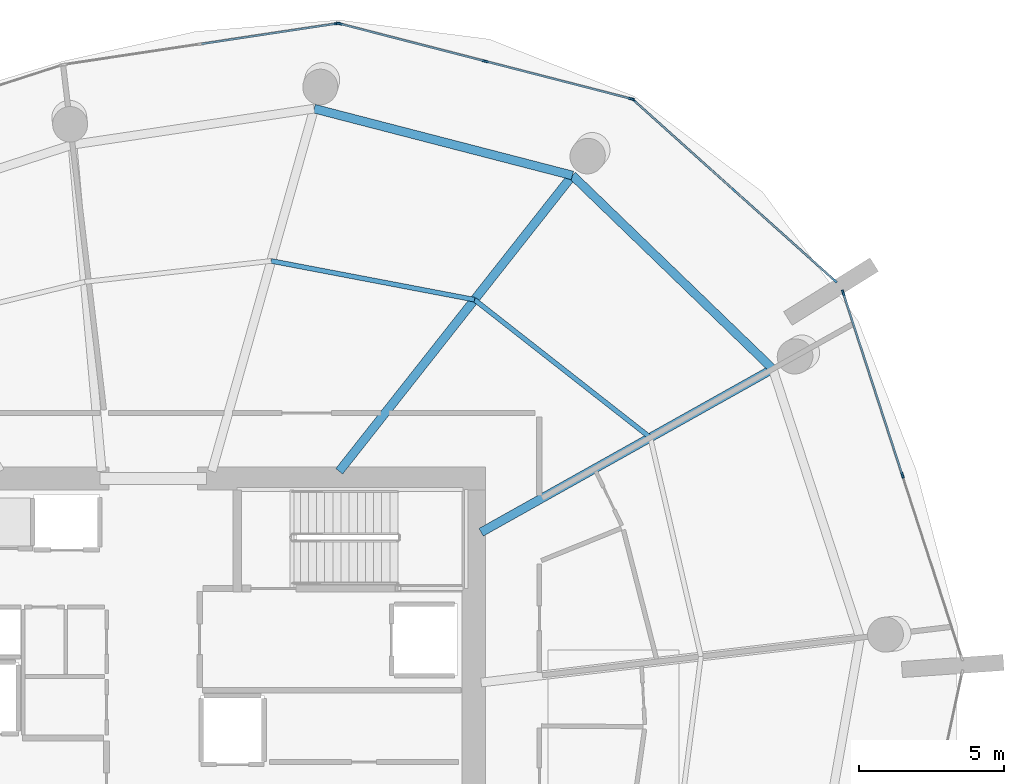
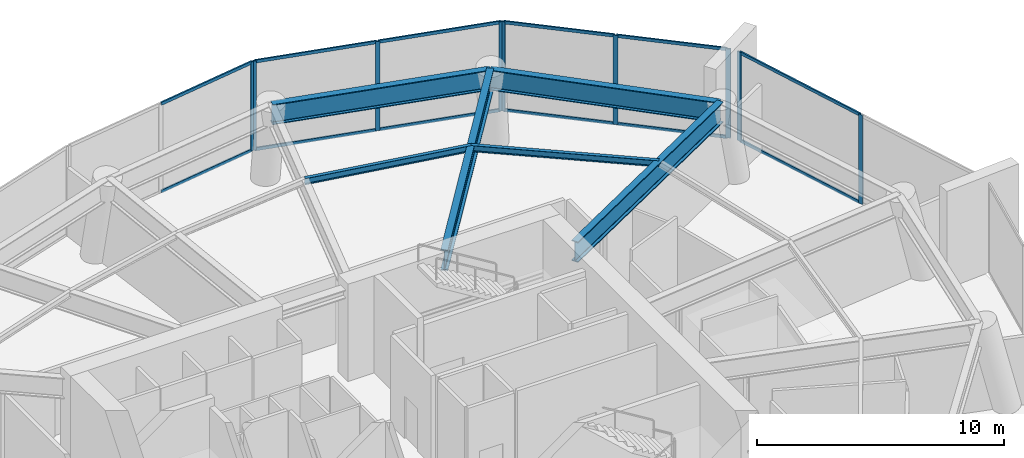
# One storey, part 9 of 16: 21 members, 6 beams, 4 elements without a shape of their own.
"""IFC4 building model written with IfcOpenShell, lengths in metres."""

from ifc_helpers import new_model, si_unit, direction, frame, origin, origin_2d, place, context, subcontext, project, spatial, rectangle, i_section, extrude, material, layer, layer_set, material_profile, profile_set, type_object, element, aggregate, save


model = new_model("IFC4")

# Units and contexts
model_context = context("Model", 3, precision=1e-05, world=origin(), true_north=direction((0.0, 1.0)))
body_context = subcontext(model_context, "Body", "Model", "MODEL_VIEW")
ifc_project = project(units=[si_unit("LENGTHUNIT", "METRE"), si_unit("AREAUNIT", "SQUARE_METRE"), si_unit("VOLUMEUNIT", "CUBIC_METRE"), si_unit("PLANEANGLEUNIT", "RADIAN"), si_unit("MASSUNIT", "GRAM", prefix="KILO")], contexts=[model_context])

# Site, building, storey
site_placement = place(None, origin())
site = spatial("IfcSite", under=ifc_project, at=site_placement, CompositionType="ELEMENT")
building_placement = place(site_placement, origin())
building = spatial("IfcBuilding", under=site, at=building_placement, Name="Kazma Halo Residences", CompositionType="ELEMENT")
storey_placement = place(building_placement, frame((0.0, 0.0, 123.0)))
storey = spatial("IfcBuildingStorey", under=building, at=storey_placement, Name="L30", CompositionType="ELEMENT", Elevation=123.0)

# Beams
ifc_material_1 = material(Name="Steel S355", Category="steel")
ifc_material_profile_1 = material_profile(ifc_material_1, i_section(OverallWidth=0.1650390625, OverallDepth=0.31005859375, WebThickness=0.005859375, FlangeThickness=0.009765625, FilletRadius=0.011962890625, at=origin_2d()), Name="W310x38.7")
ifc_profile_set_1 = profile_set([ifc_material_profile_1], Name="Steel S355")
beam_type_1 = type_object("IfcBeamType", Name="BM-SEC-W310B", PredefinedType="JOIST", material=ifc_profile_set_1)
beam_1_placement = place(storey_placement, frame((65.517578125, 51.810302734375, 4.2451171875), z_axis=(-0.786978354244, 0.616980607435, 0.0), x_axis=(-0.616980607435, -0.786978354244, 0.0)))
element("IfcBeam", 1, at=beam_1_placement, inside=storey, type_object=beam_type_1, Name="L30 circumferential floor joist 01", PredefinedType="JOIST", context=body_context, shape_type="SweptSolid", body=[
    extrude(i_section(OverallWidth=0.1650390625, OverallDepth=0.31005859375, WebThickness=0.005859375, FlangeThickness=0.009765625, FilletRadius=0.011962890625, at=origin_2d()), origin(), (0.0, 0.0, 1.0), 7.683349609375),
])
beam_2_placement = place(storey_placement, frame((59.470947265625, 56.55078125, 4.2451171875), z_axis=(-0.982303720869, 0.187294954461, 0.0), x_axis=(-0.187294954461, -0.982303720869, 0.0)))
element("IfcBeam", 2, at=beam_2_placement, inside=storey, type_object=beam_type_1, Name="L30 circumferential floor joist 02", PredefinedType="JOIST", context=body_context, shape_type="SweptSolid", body=[
    extrude(i_section(OverallWidth=0.1650390625, OverallDepth=0.31005859375, WebThickness=0.005859375, FlangeThickness=0.009765625, FilletRadius=0.011962890625, at=origin_2d()), origin(), (0.0, 0.0, 1.0), 7.1171875),
])
ifc_material_profile_2 = material_profile(ifc_material_1, i_section(OverallWidth=0.302001953125, OverallDepth=1.01806640625, WebThickness=0.021484375, FlangeThickness=0.049072265625, FilletRadius=0.028076171875, at=origin_2d()), Name="W1000x443")
ifc_profile_set_2 = profile_set([ifc_material_profile_2], Name="Steel S355")
beam_type_2 = type_object("IfcBeamType", Name="BM-TRANS-W1000A", PredefinedType="BEAM", material=ifc_profile_set_2)
beam_3_placement = place(storey_placement, frame((59.699951171875, 48.55224609375, 3.89111328125), z_axis=(0.872497324456, 0.488618889132, 0.0), x_axis=(-0.488618889132, 0.872497324456, 0.0)))
element("IfcBeam", 3, at=beam_3_placement, inside=storey, type_object=beam_type_2, Name="L30 podium radial transfer girder 01", PredefinedType="BEAM", context=body_context, shape_type="SweptSolid", body=[
    extrude(i_section(OverallWidth=0.302001953125, OverallDepth=1.01806640625, WebThickness=0.021484375, FlangeThickness=0.049072265625, FilletRadius=0.028076171875, at=origin_2d()), origin(), (0.0, 0.0, 1.0), 11.49609375),
])
beam_4_placement = place(storey_placement, frame((54.819091796875, 50.64990234375, 3.89111328125), z_axis=(0.619099110691, 0.785312861948, 0.0), x_axis=(-0.785312861948, 0.619099110691, 0.0)))
element("IfcBeam", 4, at=beam_4_placement, inside=storey, type_object=beam_type_2, Name="L30 podium radial transfer girder 02", PredefinedType="BEAM", context=body_context, shape_type="SweptSolid", body=[
    extrude(i_section(OverallWidth=0.302001953125, OverallDepth=1.01806640625, WebThickness=0.021484375, FlangeThickness=0.049072265625, FilletRadius=0.028076171875, at=origin_2d()), origin(), (0.0, 0.0, 1.0), 12.955078125),
])
ifc_material_profile_3 = material_profile(ifc_material_1, i_section(OverallWidth=0.300048828125, OverallDepth=1.0, WebThickness=0.01904296875, FlangeThickness=0.0400390625, FilletRadius=0.02587890625, at=origin_2d()), Name="W1000x371")
ifc_profile_set_3 = profile_set([ifc_material_profile_3], Name="Steel S355")
beam_type_3 = type_object("IfcBeamType", Name="BM-TRANS-W1000B", PredefinedType="BEAM", material=ifc_profile_set_3)
beam_5_placement = place(storey_placement, frame((69.730224609375, 54.16943359375, 3.89990234375), z_axis=(-0.719334705845, 0.694663645923, 0.0), x_axis=(-0.694663645923, -0.719334705845, 0.0)))
element("IfcBeam", 5, at=beam_5_placement, inside=storey, type_object=beam_type_3, Name="L30 perimeter ring beam 01", PredefinedType="BEAM", context=body_context, shape_type="SweptSolid", body=[
    extrude(i_section(OverallWidth=0.300048828125, OverallDepth=1.0, WebThickness=0.01904296875, FlangeThickness=0.0400390625, FilletRadius=0.02587890625, at=origin_2d()), origin(), (0.0, 0.0, 1.0), 9.5791015625),
])
beam_6_placement = place(storey_placement, frame((62.839599609375, 60.82373046875, 3.89990234375), z_axis=(-0.968123664213, 0.250472694699, 0.0), x_axis=(-0.250472694699, -0.968123664213, 0.0)))
element("IfcBeam", 6, at=beam_6_placement, inside=storey, type_object=beam_type_3, Name="L30 perimeter ring beam 02", PredefinedType="BEAM", context=body_context, shape_type="SweptSolid", body=[
    extrude(i_section(OverallWidth=0.300048828125, OverallDepth=1.0, WebThickness=0.01904296875, FlangeThickness=0.0400390625, FilletRadius=0.02587890625, at=origin_2d()), origin(), (0.0, 0.0, 1.0), 9.175048828125),
])

# Curtain wall, members
ifc_material_2 = material(Name="Aluminium AW-6063 T6 and Triple-Silver Low-E Glass", Category="aluminium")
ifc_layer = layer(ifc_material_2, 0.199951171875)
ifc_layer_set = layer_set([ifc_layer], Name="Aluminium AW-6063 T6 and Triple-Silver Low-E Glass")
curtain_wall_type = type_object("IfcCurtainWallType", Name="CW-SYS-3", PredefinedType="NOTDEFINED", material=ifc_layer_set)
curtain_wall_1_placement = place(storey_placement, origin())
curtain_wall_1 = element("IfcCurtainWall", 7, at=curtain_wall_1_placement, inside=storey, type_object=curtain_wall_type, Name="L30 unitised curtain wall B01", PredefinedType="NOTDEFINED")
ifc_material_3 = material(Name="Aluminium AW-6063 T6", Category="aluminium")
ifc_material_profile_4 = material_profile(ifc_material_3, rectangle(XDim=0.070068359375, YDim=0.199951171875, at=origin_2d()), Name="CWM-70x200")
ifc_profile_set_4 = profile_set([ifc_material_profile_4], Name="Aluminium AW-6063 T6")
member_type_1 = type_object("IfcMemberType", Name="CW-SYS-3-MUL", PredefinedType="MULLION", material=ifc_profile_set_4)
member_1_placement = place(storey_placement, frame((71.8583984375, 57.210205078125, 0.0), z_axis=(0.0, 0.0, 1.0), x_axis=(-0.667781551283, -0.744357306517, 0.0)))
member_1 = element("IfcMember", 8, at=member_1_placement, type_object=member_type_1, Name="CWS-3 mullion 1", PredefinedType="MULLION", context=body_context, shape_type="SweptSolid", body=[
    extrude(rectangle(XDim=0.070068359375, YDim=0.199951171875, at=origin_2d()), origin(), (0.0, 0.0, 1.0), 4.39990234375),
])
member_2_placement = place(storey_placement, frame((68.395751953125, 60.316650390625, 0.0), z_axis=(0.0, 0.0, 1.0), x_axis=(-0.667781551283, -0.744357306517, 0.0)))
member_2 = element("IfcMember", 9, at=member_2_placement, type_object=member_type_1, Name="CWS-3 mullion 2", PredefinedType="MULLION", context=body_context, shape_type="SweptSolid", body=[
    extrude(rectangle(XDim=0.070068359375, YDim=0.199951171875, at=origin_2d()), origin(), (0.0, 0.0, 1.0), 4.39990234375),
])
member_3_placement = place(storey_placement, frame((64.93310546875, 63.423095703125, 0.0), z_axis=(0.0, 0.0, 1.0), x_axis=(-0.667781551283, -0.744357306517, 0.0)))
member_3 = element("IfcMember", 10, at=member_3_placement, type_object=member_type_1, Name="CWS-3 mullion 3", PredefinedType="MULLION", context=body_context, shape_type="SweptSolid", body=[
    extrude(rectangle(XDim=0.070068359375, YDim=0.199951171875, at=origin_2d()), origin(), (0.0, 0.0, 1.0), 4.39990234375),
])

curtain_wall_2_placement = place(storey_placement, origin())
curtain_wall_2 = element("IfcCurtainWall", 11, at=curtain_wall_2_placement, inside=storey, type_object=curtain_wall_type, Name="L30 unitised curtain wall B02", PredefinedType="NOTDEFINED")
member_4_placement = place(storey_placement, frame((64.873046875, 63.455078125, 0.0), z_axis=(0.0, 0.0, 1.0), x_axis=(-0.249525032584, -0.968368348364, 0.0)))
member_4 = element("IfcMember", 12, at=member_4_placement, type_object=member_type_1, Name="CWS-3 mullion 1", PredefinedType="MULLION", context=body_context, shape_type="SweptSolid", body=[
    extrude(rectangle(XDim=0.070068359375, YDim=0.199951171875, at=origin_2d()), origin(), (0.0, 0.0, 1.0), 4.39990234375),
])
member_5_placement = place(storey_placement, frame((59.845703125, 64.75048828125, 0.0), z_axis=(0.0, 0.0, 1.0), x_axis=(-0.249525032584, -0.968368348364, 0.0)))
member_5 = element("IfcMember", 13, at=member_5_placement, type_object=member_type_1, Name="CWS-3 mullion 2", PredefinedType="MULLION", context=body_context, shape_type="SweptSolid", body=[
    extrude(rectangle(XDim=0.070068359375, YDim=0.199951171875, at=origin_2d()), origin(), (0.0, 0.0, 1.0), 4.39990234375),
])
member_6_placement = place(storey_placement, frame((54.818115234375, 66.046142578125, 0.0), z_axis=(0.0, 0.0, 1.0), x_axis=(-0.249525032584, -0.968368348364, 0.0)))
member_6 = element("IfcMember", 14, at=member_6_placement, type_object=member_type_1, Name="CWS-3 mullion 3", PredefinedType="MULLION", context=body_context, shape_type="SweptSolid", body=[
    extrude(rectangle(XDim=0.070068359375, YDim=0.199951171875, at=origin_2d()), origin(), (0.0, 0.0, 1.0), 4.39990234375),
])

# Curtain wall, member
curtain_wall_3_placement = place(storey_placement, origin())
curtain_wall_3 = element("IfcCurtainWall", 15, at=curtain_wall_3_placement, inside=storey, type_object=curtain_wall_type, Name="L30 unitised curtain wall B03", PredefinedType="NOTDEFINED")
member_7_placement = place(storey_placement, frame((54.74951171875, 66.049560546875, 0.0), z_axis=(0.0, 0.0, 1.0), x_axis=(0.148767641273, -0.988872180269, 0.0)))
member_7 = element("IfcMember", 16, at=member_7_placement, type_object=member_type_1, Name="CWS-3 mullion 1", PredefinedType="MULLION", context=body_context, shape_type="SweptSolid", body=[
    extrude(rectangle(XDim=0.070068359375, YDim=0.199951171875, at=origin_2d()), origin(), (0.0, 0.0, 1.0), 4.39990234375),
])

# Curtain wall, members
curtain_wall_4_placement = place(storey_placement, origin())
curtain_wall_4 = element("IfcCurtainWall", 17, at=curtain_wall_4_placement, inside=storey, type_object=curtain_wall_type, Name="L30 unitised curtain wall B16", PredefinedType="NOTDEFINED")
member_8_placement = place(storey_placement, frame((74.191162109375, 50.510009765625, 0.0), z_axis=(0.0, 0.0, 1.0), x_axis=(-0.951056155872, -0.309018103641, 0.0)))
member_8 = element("IfcMember", 18, at=member_8_placement, type_object=member_type_1, Name="CWS-3 mullion 2", PredefinedType="MULLION", context=body_context, shape_type="SweptSolid", body=[
    extrude(rectangle(XDim=0.070068359375, YDim=0.199951171875, at=origin_2d()), origin(), (0.0, 0.0, 1.0), 4.39990234375),
])
member_9_placement = place(storey_placement, frame((72.151123046875, 56.788818359375, 0.0), z_axis=(0.0, 0.0, 1.0), x_axis=(-0.951056155872, -0.309018103641, 0.0)))
member_9 = element("IfcMember", 19, at=member_9_placement, type_object=member_type_1, Name="CWS-3 mullion 3", PredefinedType="MULLION", context=body_context, shape_type="SweptSolid", body=[
    extrude(rectangle(XDim=0.070068359375, YDim=0.199951171875, at=origin_2d()), origin(), (0.0, 0.0, 1.0), 4.39990234375),
])

# Member
ifc_material_profile_5 = material_profile(ifc_material_3, rectangle(XDim=0.070068359375, YDim=0.14990234375, at=origin_2d()), Name="CWT-70x150")
ifc_profile_set_5 = profile_set([ifc_material_profile_5], Name="Aluminium AW-6063 T6")
member_type_2 = type_object("IfcMemberType", Name="CW-SYS-3-TRN", PredefinedType="USERDEFINED", material=ifc_profile_set_5)
member_10_placement = place(storey_placement, frame((71.832275390625, 57.233642578125, 0.034912109375), z_axis=(-0.744379456225, 0.667756860803, 0.0), x_axis=(-0.667756860803, -0.744379456225, 0.0)))
member_10 = element("IfcMember", 20, at=member_10_placement, type_object=member_type_2, Name="CWS-3 transom 1.1", ObjectType="TRANSOM", PredefinedType="USERDEFINED", context=body_context, shape_type="SweptSolid", body=[
    extrude(rectangle(XDim=0.070068359375, YDim=0.14990234375, at=origin_2d()), origin(), (0.0, 0.0, 1.0), 4.581787109375),
])

member_11_placement = place(storey_placement, frame((71.832275390625, 57.233642578125, 4.364990234375), z_axis=(-0.744379456225, 0.667756860803, 0.0), x_axis=(-0.667756860803, -0.744379456225, 0.0)))
member_11 = element("IfcMember", 21, at=member_11_placement, type_object=member_type_2, Name="CWS-3 transom 1.2", ObjectType="TRANSOM", PredefinedType="USERDEFINED", context=body_context, shape_type="SweptSolid", body=[
    extrude(rectangle(XDim=0.070068359375, YDim=0.14990234375, at=origin_2d()), origin(), (0.0, 0.0, 1.0), 4.581787109375),
])

member_12_placement = place(storey_placement, frame((68.36962890625, 60.340087890625, 0.034912109375), z_axis=(-0.744379456225, 0.667756860803, 0.0), x_axis=(-0.667756860803, -0.744379456225, 0.0)))
member_12 = element("IfcMember", 22, at=member_12_placement, type_object=member_type_2, Name="CWS-3 transom 2.1", ObjectType="TRANSOM", PredefinedType="USERDEFINED", context=body_context, shape_type="SweptSolid", body=[
    extrude(rectangle(XDim=0.070068359375, YDim=0.14990234375, at=origin_2d()), origin(), (0.0, 0.0, 1.0), 4.581787109375),
])

member_13_placement = place(storey_placement, frame((68.36962890625, 60.340087890625, 4.364990234375), z_axis=(-0.744379456225, 0.667756860803, 0.0), x_axis=(-0.667756860803, -0.744379456225, 0.0)))
member_13 = element("IfcMember", 23, at=member_13_placement, type_object=member_type_2, Name="CWS-3 transom 2.2", ObjectType="TRANSOM", PredefinedType="USERDEFINED", context=body_context, shape_type="SweptSolid", body=[
    extrude(rectangle(XDim=0.070068359375, YDim=0.14990234375, at=origin_2d()), origin(), (0.0, 0.0, 1.0), 4.581787109375),
])

aggregate(curtain_wall_1, [member_1, member_2, member_3, member_10, member_11, member_12, member_13])

member_14_placement = place(storey_placement, frame((64.839111328125, 63.4638671875, 0.034912109375), z_axis=(-0.96836469356, 0.249539215889, 0.0), x_axis=(-0.249539215889, -0.96836469356, 0.0)))
member_14 = element("IfcMember", 24, at=member_14_placement, type_object=member_type_2, Name="CWS-3 transom 1.1", ObjectType="TRANSOM", PredefinedType="USERDEFINED", context=body_context, shape_type="SweptSolid", body=[
    extrude(rectangle(XDim=0.070068359375, YDim=0.14990234375, at=origin_2d()), origin(), (0.0, 0.0, 1.0), 5.121826171875),
])

member_15_placement = place(storey_placement, frame((64.839111328125, 63.4638671875, 4.364990234375), z_axis=(-0.96836469356, 0.249539215889, 0.0), x_axis=(-0.249539215889, -0.96836469356, 0.0)))
member_15 = element("IfcMember", 25, at=member_15_placement, type_object=member_type_2, Name="CWS-3 transom 1.2", ObjectType="TRANSOM", PredefinedType="USERDEFINED", context=body_context, shape_type="SweptSolid", body=[
    extrude(rectangle(XDim=0.070068359375, YDim=0.14990234375, at=origin_2d()), origin(), (0.0, 0.0, 1.0), 5.121826171875),
])

member_16_placement = place(storey_placement, frame((59.811767578125, 64.75927734375, 0.034912109375), z_axis=(-0.96836469356, 0.249539215889, 0.0), x_axis=(-0.249539215889, -0.96836469356, 0.0)))
member_16 = element("IfcMember", 26, at=member_16_placement, type_object=member_type_2, Name="CWS-3 transom 2.1", ObjectType="TRANSOM", PredefinedType="USERDEFINED", context=body_context, shape_type="SweptSolid", body=[
    extrude(rectangle(XDim=0.070068359375, YDim=0.14990234375, at=origin_2d()), origin(), (0.0, 0.0, 1.0), 5.121826171875),
])

member_17_placement = place(storey_placement, frame((59.811767578125, 64.75927734375, 4.364990234375), z_axis=(-0.96836469356, 0.249539215889, 0.0), x_axis=(-0.249539215889, -0.96836469356, 0.0)))
member_17 = element("IfcMember", 27, at=member_17_placement, type_object=member_type_2, Name="CWS-3 transom 2.2", ObjectType="TRANSOM", PredefinedType="USERDEFINED", context=body_context, shape_type="SweptSolid", body=[
    extrude(rectangle(XDim=0.070068359375, YDim=0.14990234375, at=origin_2d()), origin(), (0.0, 0.0, 1.0), 5.121826171875),
])

aggregate(curtain_wall_2, [member_4, member_5, member_6, member_14, member_15, member_16, member_17])

member_18_placement = place(storey_placement, frame((54.715087890625, 66.04443359375, 0.034912109375), z_axis=(-0.988869286604, -0.14878687446, 0.0), x_axis=(0.14878687446, -0.988869286604, 0.0)))
member_18 = element("IfcMember", 28, at=member_18_placement, type_object=member_type_2, Name="CWS-3 transom 1.1", ObjectType="TRANSOM", PredefinedType="USERDEFINED", context=body_context, shape_type="SweptSolid", body=[
    extrude(rectangle(XDim=0.070068359375, YDim=0.14990234375, at=origin_2d()), origin(), (0.0, 0.0, 1.0), 4.6796875),
])

member_19_placement = place(storey_placement, frame((54.715087890625, 66.04443359375, 4.364990234375), z_axis=(-0.988869286604, -0.14878687446, 0.0), x_axis=(0.14878687446, -0.988869286604, 0.0)))
member_19 = element("IfcMember", 29, at=member_19_placement, type_object=member_type_2, Name="CWS-3 transom 1.2", ObjectType="TRANSOM", PredefinedType="USERDEFINED", context=body_context, shape_type="SweptSolid", body=[
    extrude(rectangle(XDim=0.070068359375, YDim=0.14990234375, at=origin_2d()), origin(), (0.0, 0.0, 1.0), 4.6796875),
])

aggregate(curtain_wall_3, [member_7, member_18, member_19])

member_20_placement = place(storey_placement, frame((74.180419921875, 50.54345703125, 0.034912109375), z_axis=(-0.309031137055, 0.951051920944, 0.0), x_axis=(-0.951051920944, -0.309031137055, 0.0)))
member_20 = element("IfcMember", 30, at=member_20_placement, type_object=member_type_2, Name="CWS-3 transom 2.1", ObjectType="TRANSOM", PredefinedType="USERDEFINED", context=body_context, shape_type="SweptSolid", body=[
    extrude(rectangle(XDim=0.070068359375, YDim=0.14990234375, at=origin_2d()), origin(), (0.0, 0.0, 1.0), 6.531982421875),
])

member_21_placement = place(storey_placement, frame((74.180419921875, 50.54345703125, 4.364990234375), z_axis=(-0.309031137055, 0.951051920944, 0.0), x_axis=(-0.951051920944, -0.309031137055, 0.0)))
member_21 = element("IfcMember", 31, at=member_21_placement, type_object=member_type_2, Name="CWS-3 transom 2.2", ObjectType="TRANSOM", PredefinedType="USERDEFINED", context=body_context, shape_type="SweptSolid", body=[
    extrude(rectangle(XDim=0.070068359375, YDim=0.14990234375, at=origin_2d()), origin(), (0.0, 0.0, 1.0), 6.531982421875),
])

aggregate(curtain_wall_4, [member_8, member_9, member_20, member_21])

save(model, "model.ifc")
